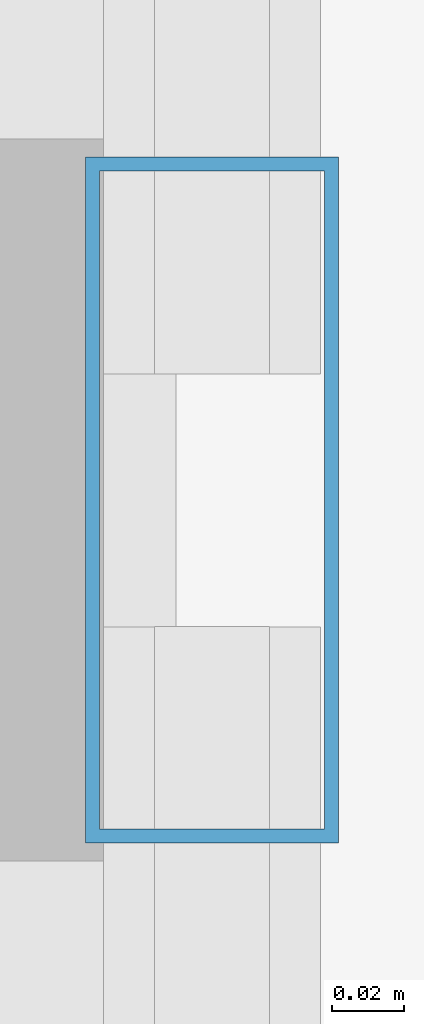
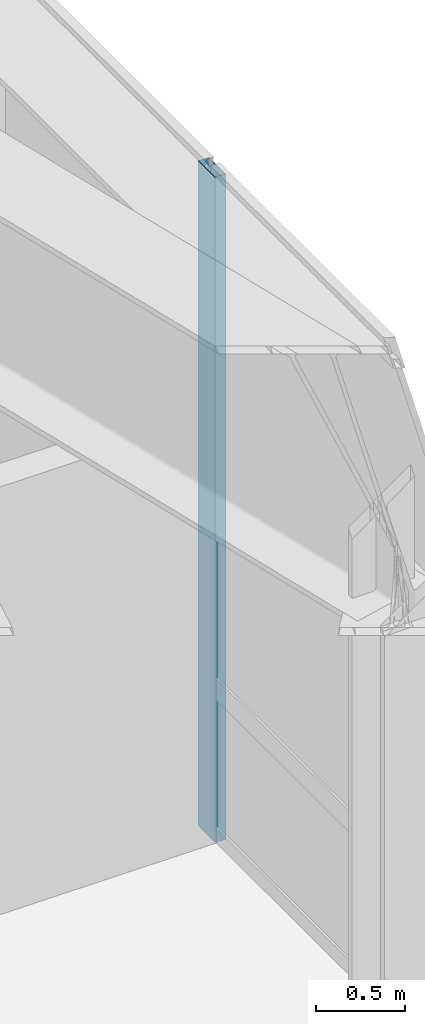
# One storey, part 18 of 30: 1 member, 1 element without a shape of its own.
"""IFC4 building model written with IfcOpenShell, lengths in metres."""

from ifc_helpers import new_model, si_unit, direction, frame, origin, origin_2d, place, context, subcontext, project, spatial, hollow_rectangle, extrude, source, transform, mapped, material, layer, layer_set, material_profile, profile_set, type_object, type_shapes, element, aggregate, save


model = new_model("IFC4")

# Units and contexts
model_context = context("Model", 3, precision=1e-05, world=origin(), true_north=direction((0.0, 1.0)))
body_context = subcontext(model_context, "Body", "Model", "MODEL_VIEW")
ifc_project = project(units=[si_unit("LENGTHUNIT", "METRE"), si_unit("AREAUNIT", "SQUARE_METRE"), si_unit("VOLUMEUNIT", "CUBIC_METRE"), si_unit("PLANEANGLEUNIT", "RADIAN"), si_unit("MASSUNIT", "GRAM", prefix="KILO")], contexts=[model_context])

# Site, building, storey
site_placement = place(None, origin())
site = spatial("IfcSite", under=ifc_project, at=site_placement, CompositionType="ELEMENT")
building_placement = place(site_placement, origin())
building = spatial("IfcBuilding", under=site, at=building_placement, Name="Varnel Quay Broadcast Tower", CompositionType="ELEMENT")
storey_placement = place(building_placement, frame((0.0, 0.0, 82.199951171875)))
storey = spatial("IfcBuildingStorey", under=building, at=storey_placement, Name="L19", CompositionType="ELEMENT", Elevation=82.199951171875)

# Curtain wall, member
ifc_material = material(Name="Anodised Bronze Aluminium 6063-T6", Category="aluminium")
ifc_layer = layer(ifc_material, 0.18994140625, Name="Anodised Bronze Aluminium 6063-T6")
ifc_layer_set = layer_set([ifc_layer], Name="Anodised Bronze Aluminium 6063-T6")
curtain_wall_type = type_object("IfcCurtainWallType", Name="CW_LowerTower", PredefinedType="NOTDEFINED", material=ifc_layer_set)
curtain_wall_placement = place(storey_placement, origin())
curtain_wall = element("IfcCurtainWall", 1, at=curtain_wall_placement, inside=storey, type_object=curtain_wall_type, Name="L19 East Unitised Curtain Wall", PredefinedType="NOTDEFINED")
ifc_material_profile = material_profile(ifc_material, hollow_rectangle(XDim=0.070068359375, YDim=0.18994140625, WallThickness=0.00390625, at=origin_2d()), Name="ALU70X190X4")
ifc_profile_set = profile_set([ifc_material_profile], Name="Anodised Bronze Aluminium 6063-T6")
member_type = type_object("IfcMemberType", Name="Mull_CWS-02", PredefinedType="MULLION", material=ifc_profile_set)
shared_shape = source(origin(), body_context, "Body", "SweptSolid", [
    extrude(hollow_rectangle(XDim=0.070068359375, YDim=0.18994140625, WallThickness=0.00390625, at=origin_2d()), origin(), (0.0, 0.0, 1.0), 4.550048828125),
])
type_shapes(member_type, [shared_shape])
member_placement = place(storey_placement, frame((65.85009765625, 17.60009765625, 0.0), z_axis=(0.0, 0.0, 1.0), x_axis=(-1.0, 0.0, 0.0)))
member = element("IfcMember", 2, at=member_placement, type_object=member_type, Name="CWS-02 mullion 2", PredefinedType="MULLION", context=body_context, shape_type="MappedRepresentation", body=[
    mapped(shared_shape, transform((0.0, 0.0, 0.0), x_axis=(1.0, 0.0, 0.0), y_axis=(0.0, 1.0, 0.0), z_axis=(0.0, 0.0, 1.0), scale=1.0)),
])
aggregate(curtain_wall, [member])

save(model, "model.ifc")
